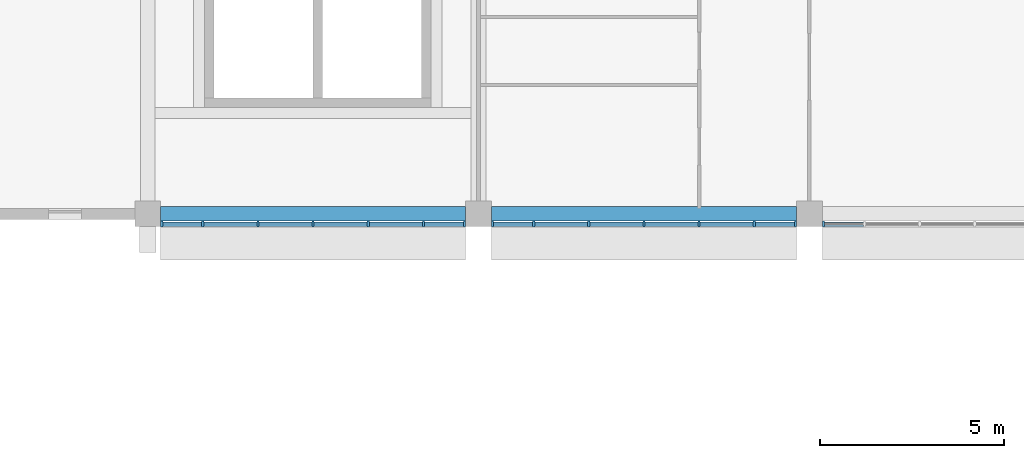
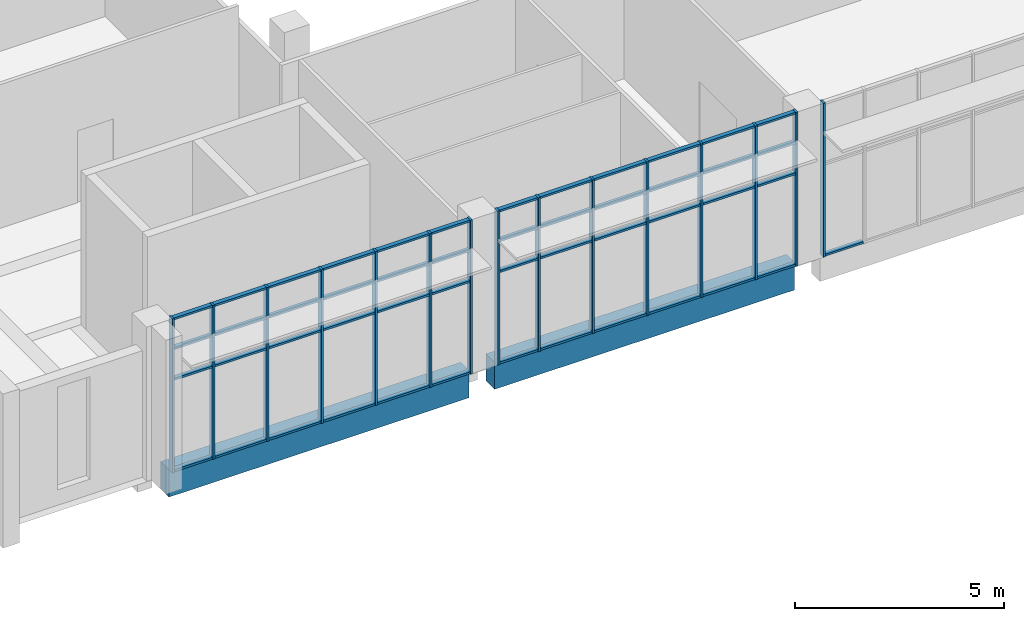
# One storey, part 2 of 40: 64 members, 2 beams, 3 elements without a shape of their own.
"""IFC4 building model written with IfcOpenShell, lengths in metres."""

from ifc_helpers import new_model, si_unit, direction, frame, origin, origin_2d, place, context, subcontext, project, spatial, rectangle, extrude, material, layer, layer_set, material_profile, profile_set, type_object, element, aggregate, save


model = new_model("IFC4")

# Units and contexts
model_context = context("Model", 3, precision=1e-05, world=origin(), true_north=direction((0.0, 1.0)))
body_context = subcontext(model_context, "Body", "Model", "MODEL_VIEW")
ifc_project = project(units=[si_unit("LENGTHUNIT", "METRE"), si_unit("AREAUNIT", "SQUARE_METRE"), si_unit("VOLUMEUNIT", "CUBIC_METRE"), si_unit("PLANEANGLEUNIT", "RADIAN"), si_unit("MASSUNIT", "GRAM", prefix="KILO")], contexts=[model_context])

# Site, building, storey
site_placement = place(None, origin())
site = spatial("IfcSite", under=ifc_project, at=site_placement, CompositionType="ELEMENT")
building_placement = place(site_placement, origin())
building = spatial("IfcBuilding", under=site, at=building_placement, Name="Guidao Yard Department Store", CompositionType="ELEMENT")
storey_placement = place(building_placement, frame((0.0, 0.0, 24.0)))
storey = spatial("IfcBuildingStorey", under=building, at=storey_placement, Name="L05", CompositionType="ELEMENT", Elevation=24.0)

# Curtain wall, members
ifc_material_1 = material(Name="Aluminium and glass", Category="aluminium")
ifc_layer = layer(ifc_material_1, 0.159912109375)
ifc_layer_set = layer_set([ifc_layer], Name="Hall front curtain wall CW2 1500 module")
curtain_wall_type = type_object("IfcCurtainWallType", Name="Hall front curtain wall CW2 1500 module", PredefinedType="NOTDEFINED", material=ifc_layer_set)
curtain_wall_1_placement = place(storey_placement, origin())
curtain_wall_1 = element("IfcCurtainWall", 1, at=curtain_wall_1_placement, inside=storey, type_object=curtain_wall_type, Name="Hall front curtain wall", PredefinedType="NOTDEFINED")
ifc_material_2 = material(Name="Aluminium 6063-T5", Category="aluminium")
ifc_material_profile_1 = material_profile(ifc_material_2, rectangle(XDim=0.06005859375, YDim=0.159912109375, at=origin_2d()), Name="Mullion M1 60 x 160 aluminium pressure plate")
ifc_profile_set_1 = profile_set([ifc_material_profile_1], Name="Aluminium 6063-T5")
member_type_1 = type_object("IfcMemberType", Name="Mullion M1 60 x 160 aluminium pressure plate", PredefinedType="MULLION", material=ifc_profile_set_1)
member_1_placement = place(storey_placement, frame((9.3798828125, 44.719970703125, 0.0), z_axis=(0.0, 0.0, 1.0), x_axis=(-1.0, 0.0, 0.0)))
member_1 = element("IfcMember", 2, at=member_1_placement, type_object=member_type_1, Name="CW-HF-L05-01 mullion 1", PredefinedType="MULLION", context=body_context, shape_type="SweptSolid", body=[
    extrude(rectangle(XDim=0.06005859375, YDim=0.159912109375, at=origin_2d()), origin(), (0.0, 0.0, 1.0), 4.5),
])
member_2_placement = place(storey_placement, frame((10.5, 44.719970703125, 0.0), z_axis=(0.0, 0.0, 1.0), x_axis=(-1.0, 0.0, 0.0)))
member_2 = element("IfcMember", 3, at=member_2_placement, type_object=member_type_1, Name="CW-HF-L05-01 mullion 2", PredefinedType="MULLION", context=body_context, shape_type="SweptSolid", body=[
    extrude(rectangle(XDim=0.06005859375, YDim=0.159912109375, at=origin_2d()), origin(), (0.0, 0.0, 1.0), 4.5),
])
member_3_placement = place(storey_placement, frame((12.0, 44.719970703125, 0.0), z_axis=(0.0, 0.0, 1.0), x_axis=(-1.0, 0.0, 0.0)))
member_3 = element("IfcMember", 4, at=member_3_placement, type_object=member_type_1, Name="CW-HF-L05-01 mullion 3", PredefinedType="MULLION", context=body_context, shape_type="SweptSolid", body=[
    extrude(rectangle(XDim=0.06005859375, YDim=0.159912109375, at=origin_2d()), origin(), (0.0, 0.0, 1.0), 4.5),
])
member_4_placement = place(storey_placement, frame((13.5, 44.719970703125, 0.0), z_axis=(0.0, 0.0, 1.0), x_axis=(-1.0, 0.0, 0.0)))
member_4 = element("IfcMember", 5, at=member_4_placement, type_object=member_type_1, Name="CW-HF-L05-01 mullion 4", PredefinedType="MULLION", context=body_context, shape_type="SweptSolid", body=[
    extrude(rectangle(XDim=0.06005859375, YDim=0.159912109375, at=origin_2d()), origin(), (0.0, 0.0, 1.0), 4.5),
])
member_5_placement = place(storey_placement, frame((15.0, 44.719970703125, 0.0), z_axis=(0.0, 0.0, 1.0), x_axis=(-1.0, 0.0, 0.0)))
member_5 = element("IfcMember", 6, at=member_5_placement, type_object=member_type_1, Name="CW-HF-L05-01 mullion 5", PredefinedType="MULLION", context=body_context, shape_type="SweptSolid", body=[
    extrude(rectangle(XDim=0.06005859375, YDim=0.159912109375, at=origin_2d()), origin(), (0.0, 0.0, 1.0), 4.5),
])
member_6_placement = place(storey_placement, frame((16.5, 44.719970703125, 0.0), z_axis=(0.0, 0.0, 1.0), x_axis=(-1.0, 0.0, 0.0)))
member_6 = element("IfcMember", 7, at=member_6_placement, type_object=member_type_1, Name="CW-HF-L05-01 mullion 6", PredefinedType="MULLION", context=body_context, shape_type="SweptSolid", body=[
    extrude(rectangle(XDim=0.06005859375, YDim=0.159912109375, at=origin_2d()), origin(), (0.0, 0.0, 1.0), 4.5),
])
member_7_placement = place(storey_placement, frame((17.6201171875, 44.719970703125, 0.0), z_axis=(0.0, 0.0, 1.0), x_axis=(-1.0, 0.0, 0.0)))
member_7 = element("IfcMember", 8, at=member_7_placement, type_object=member_type_1, Name="CW-HF-L05-01 mullion 7", PredefinedType="MULLION", context=body_context, shape_type="SweptSolid", body=[
    extrude(rectangle(XDim=0.06005859375, YDim=0.159912109375, at=origin_2d()), origin(), (0.0, 0.0, 1.0), 4.5),
])

curtain_wall_2_placement = place(storey_placement, origin())
curtain_wall_2 = element("IfcCurtainWall", 9, at=curtain_wall_2_placement, inside=storey, type_object=curtain_wall_type, Name="Hall front curtain wall", PredefinedType="NOTDEFINED")
member_8_placement = place(storey_placement, frame((18.3798828125, 44.719970703125, 0.0), z_axis=(0.0, 0.0, 1.0), x_axis=(-1.0, 0.0, 0.0)))
member_8 = element("IfcMember", 10, at=member_8_placement, type_object=member_type_1, Name="CW-HF-L05-02 mullion 1", PredefinedType="MULLION", context=body_context, shape_type="SweptSolid", body=[
    extrude(rectangle(XDim=0.06005859375, YDim=0.159912109375, at=origin_2d()), origin(), (0.0, 0.0, 1.0), 4.5),
])
member_9_placement = place(storey_placement, frame((19.5, 44.719970703125, 0.0), z_axis=(0.0, 0.0, 1.0), x_axis=(-1.0, 0.0, 0.0)))
member_9 = element("IfcMember", 11, at=member_9_placement, type_object=member_type_1, Name="CW-HF-L05-02 mullion 2", PredefinedType="MULLION", context=body_context, shape_type="SweptSolid", body=[
    extrude(rectangle(XDim=0.06005859375, YDim=0.159912109375, at=origin_2d()), origin(), (0.0, 0.0, 1.0), 4.5),
])
member_10_placement = place(storey_placement, frame((21.0, 44.719970703125, 0.0), z_axis=(0.0, 0.0, 1.0), x_axis=(-1.0, 0.0, 0.0)))
member_10 = element("IfcMember", 12, at=member_10_placement, type_object=member_type_1, Name="CW-HF-L05-02 mullion 3", PredefinedType="MULLION", context=body_context, shape_type="SweptSolid", body=[
    extrude(rectangle(XDim=0.06005859375, YDim=0.159912109375, at=origin_2d()), origin(), (0.0, 0.0, 1.0), 4.5),
])
member_11_placement = place(storey_placement, frame((22.5, 44.719970703125, 0.0), z_axis=(0.0, 0.0, 1.0), x_axis=(-1.0, 0.0, 0.0)))
member_11 = element("IfcMember", 13, at=member_11_placement, type_object=member_type_1, Name="CW-HF-L05-02 mullion 4", PredefinedType="MULLION", context=body_context, shape_type="SweptSolid", body=[
    extrude(rectangle(XDim=0.06005859375, YDim=0.159912109375, at=origin_2d()), origin(), (0.0, 0.0, 1.0), 4.5),
])
member_12_placement = place(storey_placement, frame((24.0, 44.719970703125, 0.0), z_axis=(0.0, 0.0, 1.0), x_axis=(-1.0, 0.0, 0.0)))
member_12 = element("IfcMember", 14, at=member_12_placement, type_object=member_type_1, Name="CW-HF-L05-02 mullion 5", PredefinedType="MULLION", context=body_context, shape_type="SweptSolid", body=[
    extrude(rectangle(XDim=0.06005859375, YDim=0.159912109375, at=origin_2d()), origin(), (0.0, 0.0, 1.0), 4.5),
])
member_13_placement = place(storey_placement, frame((25.5, 44.719970703125, 0.0), z_axis=(0.0, 0.0, 1.0), x_axis=(-1.0, 0.0, 0.0)))
member_13 = element("IfcMember", 15, at=member_13_placement, type_object=member_type_1, Name="CW-HF-L05-02 mullion 6", PredefinedType="MULLION", context=body_context, shape_type="SweptSolid", body=[
    extrude(rectangle(XDim=0.06005859375, YDim=0.159912109375, at=origin_2d()), origin(), (0.0, 0.0, 1.0), 4.5),
])
member_14_placement = place(storey_placement, frame((26.6201171875, 44.719970703125, 0.0), z_axis=(0.0, 0.0, 1.0), x_axis=(-1.0, 0.0, 0.0)))
member_14 = element("IfcMember", 16, at=member_14_placement, type_object=member_type_1, Name="CW-HF-L05-02 mullion 7", PredefinedType="MULLION", context=body_context, shape_type="SweptSolid", body=[
    extrude(rectangle(XDim=0.06005859375, YDim=0.159912109375, at=origin_2d()), origin(), (0.0, 0.0, 1.0), 4.5),
])

# Curtain wall, member
curtain_wall_3_placement = place(storey_placement, origin())
curtain_wall_3 = element("IfcCurtainWall", 17, at=curtain_wall_3_placement, inside=storey, type_object=curtain_wall_type, Name="Hall front curtain wall", PredefinedType="NOTDEFINED")
member_15_placement = place(storey_placement, frame((27.3798828125, 44.719970703125, 0.0), z_axis=(0.0, 0.0, 1.0), x_axis=(-1.0, 0.0, 0.0)))
member_15 = element("IfcMember", 18, at=member_15_placement, type_object=member_type_1, Name="CW-HF-L05-03 mullion 1", PredefinedType="MULLION", context=body_context, shape_type="SweptSolid", body=[
    extrude(rectangle(XDim=0.06005859375, YDim=0.159912109375, at=origin_2d()), origin(), (0.0, 0.0, 1.0), 4.5),
])

# Beams
ifc_material_3 = material(Name="Concrete C40", Category="concrete")
ifc_material_profile_2 = material_profile(ifc_material_3, rectangle(XDim=0.39990234375, YDim=0.800048828125, at=origin_2d()), Name="Spandrel beam 400 x 800 C40")
ifc_profile_set_2 = profile_set([ifc_material_profile_2], Name="Concrete C40")
beam_type = type_object("IfcBeamType", Name="Spandrel beam 400 x 800 C40", PredefinedType="SPANDREL", material=ifc_profile_set_2)
for number, where, z_axis, x_axis, name in (
    (19, (9.35009765625, 45.0, -0.39990234375), (1.0, 0.0, 0.0), (0.0, 1.0, 0.0), "Beam EB01"),
    (20, (18.35009765625, 45.0, -0.39990234375), (1.0, 0.0, 0.0), (0.0, 1.0, 0.0), "Beam EB02"),
):
    element("IfcBeam", number, at=place(storey_placement, frame(where, z_axis=z_axis, x_axis=x_axis)), inside=storey, type_object=beam_type, Name=name, PredefinedType="SPANDREL", context=body_context, shape_type="SweptSolid", body=[
        extrude(rectangle(XDim=0.39990234375, YDim=0.800048828125, at=origin_2d()), origin(), (0.0, 0.0, 1.0), 8.2998046875),
    ])

# Member
ifc_material_4 = material(Name="Aluminium 6063-T5", Category="aluminium")
ifc_material_profile_3 = material_profile(ifc_material_4, rectangle(XDim=0.1201171875, YDim=0.06005859375, at=origin_2d()), Name="Transom T1 60 x 120 aluminium pressure plate")
ifc_profile_set_3 = profile_set([ifc_material_profile_3], Name="Aluminium 6063-T5")
member_type_2 = type_object("IfcMemberType", Name="Transom T1 60 x 120 aluminium pressure plate", PredefinedType="USERDEFINED", material=ifc_profile_set_3)
member_16_placement = place(storey_placement, frame((10.469970703125, 44.719970703125, 0.030029296875), z_axis=(-1.0, 0.0, 0.0), x_axis=(0.0, -1.0, 0.0)))
member_16 = element("IfcMember", 21, at=member_16_placement, type_object=member_type_2, Name="CW-HF-L05-01 transom 1.1", ObjectType="TRANSOM", PredefinedType="USERDEFINED", context=body_context, shape_type="SweptSolid", body=[
    extrude(rectangle(XDim=0.1201171875, YDim=0.06005859375, at=origin_2d()), origin(), (0.0, 0.0, 1.0), 1.06005859375),
])

member_17_placement = place(storey_placement, frame((10.469970703125, 44.719970703125, 2.699951171875), z_axis=(-1.0, 0.0, 0.0), x_axis=(0.0, -1.0, 0.0)))
member_17 = element("IfcMember", 22, at=member_17_placement, type_object=member_type_2, Name="CW-HF-L05-01 transom 1.2", ObjectType="TRANSOM", PredefinedType="USERDEFINED", context=body_context, shape_type="SweptSolid", body=[
    extrude(rectangle(XDim=0.1201171875, YDim=0.06005859375, at=origin_2d()), origin(), (0.0, 0.0, 1.0), 1.06005859375),
])

member_18_placement = place(storey_placement, frame((10.469970703125, 44.719970703125, 3.60009765625), z_axis=(-1.0, 0.0, 0.0), x_axis=(0.0, -1.0, 0.0)))
member_18 = element("IfcMember", 23, at=member_18_placement, type_object=member_type_2, Name="CW-HF-L05-01 transom 1.3", ObjectType="TRANSOM", PredefinedType="USERDEFINED", context=body_context, shape_type="SweptSolid", body=[
    extrude(rectangle(XDim=0.1201171875, YDim=0.06005859375, at=origin_2d()), origin(), (0.0, 0.0, 1.0), 1.06005859375),
])

member_19_placement = place(storey_placement, frame((10.469970703125, 44.719970703125, 4.469970703125), z_axis=(-1.0, 0.0, 0.0), x_axis=(0.0, -1.0, 0.0)))
member_19 = element("IfcMember", 24, at=member_19_placement, type_object=member_type_2, Name="CW-HF-L05-01 transom 1.4", ObjectType="TRANSOM", PredefinedType="USERDEFINED", context=body_context, shape_type="SweptSolid", body=[
    extrude(rectangle(XDim=0.1201171875, YDim=0.06005859375, at=origin_2d()), origin(), (0.0, 0.0, 1.0), 1.06005859375),
])

member_20_placement = place(storey_placement, frame((11.969970703125, 44.719970703125, 0.030029296875), z_axis=(-1.0, 0.0, 0.0), x_axis=(0.0, -1.0, 0.0)))
member_20 = element("IfcMember", 25, at=member_20_placement, type_object=member_type_2, Name="CW-HF-L05-01 transom 2.1", ObjectType="TRANSOM", PredefinedType="USERDEFINED", context=body_context, shape_type="SweptSolid", body=[
    extrude(rectangle(XDim=0.1201171875, YDim=0.06005859375, at=origin_2d()), origin(), (0.0, 0.0, 1.0), 1.43994140625),
])

member_21_placement = place(storey_placement, frame((11.969970703125, 44.719970703125, 2.699951171875), z_axis=(-1.0, 0.0, 0.0), x_axis=(0.0, -1.0, 0.0)))
member_21 = element("IfcMember", 26, at=member_21_placement, type_object=member_type_2, Name="CW-HF-L05-01 transom 2.2", ObjectType="TRANSOM", PredefinedType="USERDEFINED", context=body_context, shape_type="SweptSolid", body=[
    extrude(rectangle(XDim=0.1201171875, YDim=0.06005859375, at=origin_2d()), origin(), (0.0, 0.0, 1.0), 1.43994140625),
])

member_22_placement = place(storey_placement, frame((11.969970703125, 44.719970703125, 3.60009765625), z_axis=(-1.0, 0.0, 0.0), x_axis=(0.0, -1.0, 0.0)))
member_22 = element("IfcMember", 27, at=member_22_placement, type_object=member_type_2, Name="CW-HF-L05-01 transom 2.3", ObjectType="TRANSOM", PredefinedType="USERDEFINED", context=body_context, shape_type="SweptSolid", body=[
    extrude(rectangle(XDim=0.1201171875, YDim=0.06005859375, at=origin_2d()), origin(), (0.0, 0.0, 1.0), 1.43994140625),
])

member_23_placement = place(storey_placement, frame((11.969970703125, 44.719970703125, 4.469970703125), z_axis=(-1.0, 0.0, 0.0), x_axis=(0.0, -1.0, 0.0)))
member_23 = element("IfcMember", 28, at=member_23_placement, type_object=member_type_2, Name="CW-HF-L05-01 transom 2.4", ObjectType="TRANSOM", PredefinedType="USERDEFINED", context=body_context, shape_type="SweptSolid", body=[
    extrude(rectangle(XDim=0.1201171875, YDim=0.06005859375, at=origin_2d()), origin(), (0.0, 0.0, 1.0), 1.43994140625),
])

member_24_placement = place(storey_placement, frame((13.469970703125, 44.719970703125, 0.030029296875), z_axis=(-1.0, 0.0, 0.0), x_axis=(0.0, -1.0, 0.0)))
member_24 = element("IfcMember", 29, at=member_24_placement, type_object=member_type_2, Name="CW-HF-L05-01 transom 3.1", ObjectType="TRANSOM", PredefinedType="USERDEFINED", context=body_context, shape_type="SweptSolid", body=[
    extrude(rectangle(XDim=0.1201171875, YDim=0.06005859375, at=origin_2d()), origin(), (0.0, 0.0, 1.0), 1.43994140625),
])

member_25_placement = place(storey_placement, frame((13.469970703125, 44.719970703125, 2.699951171875), z_axis=(-1.0, 0.0, 0.0), x_axis=(0.0, -1.0, 0.0)))
member_25 = element("IfcMember", 30, at=member_25_placement, type_object=member_type_2, Name="CW-HF-L05-01 transom 3.2", ObjectType="TRANSOM", PredefinedType="USERDEFINED", context=body_context, shape_type="SweptSolid", body=[
    extrude(rectangle(XDim=0.1201171875, YDim=0.06005859375, at=origin_2d()), origin(), (0.0, 0.0, 1.0), 1.43994140625),
])

member_26_placement = place(storey_placement, frame((13.469970703125, 44.719970703125, 3.60009765625), z_axis=(-1.0, 0.0, 0.0), x_axis=(0.0, -1.0, 0.0)))
member_26 = element("IfcMember", 31, at=member_26_placement, type_object=member_type_2, Name="CW-HF-L05-01 transom 3.3", ObjectType="TRANSOM", PredefinedType="USERDEFINED", context=body_context, shape_type="SweptSolid", body=[
    extrude(rectangle(XDim=0.1201171875, YDim=0.06005859375, at=origin_2d()), origin(), (0.0, 0.0, 1.0), 1.43994140625),
])

member_27_placement = place(storey_placement, frame((13.469970703125, 44.719970703125, 4.469970703125), z_axis=(-1.0, 0.0, 0.0), x_axis=(0.0, -1.0, 0.0)))
member_27 = element("IfcMember", 32, at=member_27_placement, type_object=member_type_2, Name="CW-HF-L05-01 transom 3.4", ObjectType="TRANSOM", PredefinedType="USERDEFINED", context=body_context, shape_type="SweptSolid", body=[
    extrude(rectangle(XDim=0.1201171875, YDim=0.06005859375, at=origin_2d()), origin(), (0.0, 0.0, 1.0), 1.43994140625),
])

member_28_placement = place(storey_placement, frame((14.969970703125, 44.719970703125, 0.030029296875), z_axis=(-1.0, 0.0, 0.0), x_axis=(0.0, -1.0, 0.0)))
member_28 = element("IfcMember", 33, at=member_28_placement, type_object=member_type_2, Name="CW-HF-L05-01 transom 4.1", ObjectType="TRANSOM", PredefinedType="USERDEFINED", context=body_context, shape_type="SweptSolid", body=[
    extrude(rectangle(XDim=0.1201171875, YDim=0.06005859375, at=origin_2d()), origin(), (0.0, 0.0, 1.0), 1.43994140625),
])

member_29_placement = place(storey_placement, frame((14.969970703125, 44.719970703125, 2.699951171875), z_axis=(-1.0, 0.0, 0.0), x_axis=(0.0, -1.0, 0.0)))
member_29 = element("IfcMember", 34, at=member_29_placement, type_object=member_type_2, Name="CW-HF-L05-01 transom 4.2", ObjectType="TRANSOM", PredefinedType="USERDEFINED", context=body_context, shape_type="SweptSolid", body=[
    extrude(rectangle(XDim=0.1201171875, YDim=0.06005859375, at=origin_2d()), origin(), (0.0, 0.0, 1.0), 1.43994140625),
])

member_30_placement = place(storey_placement, frame((14.969970703125, 44.719970703125, 3.60009765625), z_axis=(-1.0, 0.0, 0.0), x_axis=(0.0, -1.0, 0.0)))
member_30 = element("IfcMember", 35, at=member_30_placement, type_object=member_type_2, Name="CW-HF-L05-01 transom 4.3", ObjectType="TRANSOM", PredefinedType="USERDEFINED", context=body_context, shape_type="SweptSolid", body=[
    extrude(rectangle(XDim=0.1201171875, YDim=0.06005859375, at=origin_2d()), origin(), (0.0, 0.0, 1.0), 1.43994140625),
])

member_31_placement = place(storey_placement, frame((14.969970703125, 44.719970703125, 4.469970703125), z_axis=(-1.0, 0.0, 0.0), x_axis=(0.0, -1.0, 0.0)))
member_31 = element("IfcMember", 36, at=member_31_placement, type_object=member_type_2, Name="CW-HF-L05-01 transom 4.4", ObjectType="TRANSOM", PredefinedType="USERDEFINED", context=body_context, shape_type="SweptSolid", body=[
    extrude(rectangle(XDim=0.1201171875, YDim=0.06005859375, at=origin_2d()), origin(), (0.0, 0.0, 1.0), 1.43994140625),
])

member_32_placement = place(storey_placement, frame((16.469970703125, 44.719970703125, 0.030029296875), z_axis=(-1.0, 0.0, 0.0), x_axis=(0.0, -1.0, 0.0)))
member_32 = element("IfcMember", 37, at=member_32_placement, type_object=member_type_2, Name="CW-HF-L05-01 transom 5.1", ObjectType="TRANSOM", PredefinedType="USERDEFINED", context=body_context, shape_type="SweptSolid", body=[
    extrude(rectangle(XDim=0.1201171875, YDim=0.06005859375, at=origin_2d()), origin(), (0.0, 0.0, 1.0), 1.43994140625),
])

member_33_placement = place(storey_placement, frame((16.469970703125, 44.719970703125, 2.699951171875), z_axis=(-1.0, 0.0, 0.0), x_axis=(0.0, -1.0, 0.0)))
member_33 = element("IfcMember", 38, at=member_33_placement, type_object=member_type_2, Name="CW-HF-L05-01 transom 5.2", ObjectType="TRANSOM", PredefinedType="USERDEFINED", context=body_context, shape_type="SweptSolid", body=[
    extrude(rectangle(XDim=0.1201171875, YDim=0.06005859375, at=origin_2d()), origin(), (0.0, 0.0, 1.0), 1.43994140625),
])

member_34_placement = place(storey_placement, frame((16.469970703125, 44.719970703125, 3.60009765625), z_axis=(-1.0, 0.0, 0.0), x_axis=(0.0, -1.0, 0.0)))
member_34 = element("IfcMember", 39, at=member_34_placement, type_object=member_type_2, Name="CW-HF-L05-01 transom 5.3", ObjectType="TRANSOM", PredefinedType="USERDEFINED", context=body_context, shape_type="SweptSolid", body=[
    extrude(rectangle(XDim=0.1201171875, YDim=0.06005859375, at=origin_2d()), origin(), (0.0, 0.0, 1.0), 1.43994140625),
])

member_35_placement = place(storey_placement, frame((16.469970703125, 44.719970703125, 4.469970703125), z_axis=(-1.0, 0.0, 0.0), x_axis=(0.0, -1.0, 0.0)))
member_35 = element("IfcMember", 40, at=member_35_placement, type_object=member_type_2, Name="CW-HF-L05-01 transom 5.4", ObjectType="TRANSOM", PredefinedType="USERDEFINED", context=body_context, shape_type="SweptSolid", body=[
    extrude(rectangle(XDim=0.1201171875, YDim=0.06005859375, at=origin_2d()), origin(), (0.0, 0.0, 1.0), 1.43994140625),
])

member_36_placement = place(storey_placement, frame((17.590087890625, 44.719970703125, 0.030029296875), z_axis=(-1.0, 0.0, 0.0), x_axis=(0.0, -1.0, 0.0)))
member_36 = element("IfcMember", 41, at=member_36_placement, type_object=member_type_2, Name="CW-HF-L05-01 transom 6.1", ObjectType="TRANSOM", PredefinedType="USERDEFINED", context=body_context, shape_type="SweptSolid", body=[
    extrude(rectangle(XDim=0.1201171875, YDim=0.06005859375, at=origin_2d()), origin(), (0.0, 0.0, 1.0), 1.06005859375),
])

member_37_placement = place(storey_placement, frame((17.590087890625, 44.719970703125, 2.699951171875), z_axis=(-1.0, 0.0, 0.0), x_axis=(0.0, -1.0, 0.0)))
member_37 = element("IfcMember", 42, at=member_37_placement, type_object=member_type_2, Name="CW-HF-L05-01 transom 6.2", ObjectType="TRANSOM", PredefinedType="USERDEFINED", context=body_context, shape_type="SweptSolid", body=[
    extrude(rectangle(XDim=0.1201171875, YDim=0.06005859375, at=origin_2d()), origin(), (0.0, 0.0, 1.0), 1.06005859375),
])

member_38_placement = place(storey_placement, frame((17.590087890625, 44.719970703125, 3.60009765625), z_axis=(-1.0, 0.0, 0.0), x_axis=(0.0, -1.0, 0.0)))
member_38 = element("IfcMember", 43, at=member_38_placement, type_object=member_type_2, Name="CW-HF-L05-01 transom 6.3", ObjectType="TRANSOM", PredefinedType="USERDEFINED", context=body_context, shape_type="SweptSolid", body=[
    extrude(rectangle(XDim=0.1201171875, YDim=0.06005859375, at=origin_2d()), origin(), (0.0, 0.0, 1.0), 1.06005859375),
])

member_39_placement = place(storey_placement, frame((17.590087890625, 44.719970703125, 4.469970703125), z_axis=(-1.0, 0.0, 0.0), x_axis=(0.0, -1.0, 0.0)))
member_39 = element("IfcMember", 44, at=member_39_placement, type_object=member_type_2, Name="CW-HF-L05-01 transom 6.4", ObjectType="TRANSOM", PredefinedType="USERDEFINED", context=body_context, shape_type="SweptSolid", body=[
    extrude(rectangle(XDim=0.1201171875, YDim=0.06005859375, at=origin_2d()), origin(), (0.0, 0.0, 1.0), 1.06005859375),
])

aggregate(curtain_wall_1, [member_1, member_2, member_3, member_4, member_5, member_6, member_7, member_16, member_17, member_18, member_19, member_20, member_21, member_22, member_23, member_24, member_25, member_26, member_27, member_28, member_29, member_30, member_31, member_32, member_33, member_34, member_35, member_36, member_37, member_38, member_39])

member_40_placement = place(storey_placement, frame((19.469970703125, 44.719970703125, 0.030029296875), z_axis=(-1.0, 0.0, 0.0), x_axis=(0.0, -1.0, 0.0)))
member_40 = element("IfcMember", 45, at=member_40_placement, type_object=member_type_2, Name="CW-HF-L05-02 transom 1.1", ObjectType="TRANSOM", PredefinedType="USERDEFINED", context=body_context, shape_type="SweptSolid", body=[
    extrude(rectangle(XDim=0.1201171875, YDim=0.06005859375, at=origin_2d()), origin(), (0.0, 0.0, 1.0), 1.06005859375),
])

member_41_placement = place(storey_placement, frame((19.469970703125, 44.719970703125, 2.699951171875), z_axis=(-1.0, 0.0, 0.0), x_axis=(0.0, -1.0, 0.0)))
member_41 = element("IfcMember", 46, at=member_41_placement, type_object=member_type_2, Name="CW-HF-L05-02 transom 1.2", ObjectType="TRANSOM", PredefinedType="USERDEFINED", context=body_context, shape_type="SweptSolid", body=[
    extrude(rectangle(XDim=0.1201171875, YDim=0.06005859375, at=origin_2d()), origin(), (0.0, 0.0, 1.0), 1.06005859375),
])

member_42_placement = place(storey_placement, frame((19.469970703125, 44.719970703125, 3.60009765625), z_axis=(-1.0, 0.0, 0.0), x_axis=(0.0, -1.0, 0.0)))
member_42 = element("IfcMember", 47, at=member_42_placement, type_object=member_type_2, Name="CW-HF-L05-02 transom 1.3", ObjectType="TRANSOM", PredefinedType="USERDEFINED", context=body_context, shape_type="SweptSolid", body=[
    extrude(rectangle(XDim=0.1201171875, YDim=0.06005859375, at=origin_2d()), origin(), (0.0, 0.0, 1.0), 1.06005859375),
])

member_43_placement = place(storey_placement, frame((19.469970703125, 44.719970703125, 4.469970703125), z_axis=(-1.0, 0.0, 0.0), x_axis=(0.0, -1.0, 0.0)))
member_43 = element("IfcMember", 48, at=member_43_placement, type_object=member_type_2, Name="CW-HF-L05-02 transom 1.4", ObjectType="TRANSOM", PredefinedType="USERDEFINED", context=body_context, shape_type="SweptSolid", body=[
    extrude(rectangle(XDim=0.1201171875, YDim=0.06005859375, at=origin_2d()), origin(), (0.0, 0.0, 1.0), 1.06005859375),
])

member_44_placement = place(storey_placement, frame((20.969970703125, 44.719970703125, 0.030029296875), z_axis=(-1.0, 0.0, 0.0), x_axis=(0.0, -1.0, 0.0)))
member_44 = element("IfcMember", 49, at=member_44_placement, type_object=member_type_2, Name="CW-HF-L05-02 transom 2.1", ObjectType="TRANSOM", PredefinedType="USERDEFINED", context=body_context, shape_type="SweptSolid", body=[
    extrude(rectangle(XDim=0.1201171875, YDim=0.06005859375, at=origin_2d()), origin(), (0.0, 0.0, 1.0), 1.43994140625),
])

member_45_placement = place(storey_placement, frame((20.969970703125, 44.719970703125, 2.699951171875), z_axis=(-1.0, 0.0, 0.0), x_axis=(0.0, -1.0, 0.0)))
member_45 = element("IfcMember", 50, at=member_45_placement, type_object=member_type_2, Name="CW-HF-L05-02 transom 2.2", ObjectType="TRANSOM", PredefinedType="USERDEFINED", context=body_context, shape_type="SweptSolid", body=[
    extrude(rectangle(XDim=0.1201171875, YDim=0.06005859375, at=origin_2d()), origin(), (0.0, 0.0, 1.0), 1.43994140625),
])

member_46_placement = place(storey_placement, frame((20.969970703125, 44.719970703125, 3.60009765625), z_axis=(-1.0, 0.0, 0.0), x_axis=(0.0, -1.0, 0.0)))
member_46 = element("IfcMember", 51, at=member_46_placement, type_object=member_type_2, Name="CW-HF-L05-02 transom 2.3", ObjectType="TRANSOM", PredefinedType="USERDEFINED", context=body_context, shape_type="SweptSolid", body=[
    extrude(rectangle(XDim=0.1201171875, YDim=0.06005859375, at=origin_2d()), origin(), (0.0, 0.0, 1.0), 1.43994140625),
])

member_47_placement = place(storey_placement, frame((20.969970703125, 44.719970703125, 4.469970703125), z_axis=(-1.0, 0.0, 0.0), x_axis=(0.0, -1.0, 0.0)))
member_47 = element("IfcMember", 52, at=member_47_placement, type_object=member_type_2, Name="CW-HF-L05-02 transom 2.4", ObjectType="TRANSOM", PredefinedType="USERDEFINED", context=body_context, shape_type="SweptSolid", body=[
    extrude(rectangle(XDim=0.1201171875, YDim=0.06005859375, at=origin_2d()), origin(), (0.0, 0.0, 1.0), 1.43994140625),
])

member_48_placement = place(storey_placement, frame((22.469970703125, 44.719970703125, 0.030029296875), z_axis=(-1.0, 0.0, 0.0), x_axis=(0.0, -1.0, 0.0)))
member_48 = element("IfcMember", 53, at=member_48_placement, type_object=member_type_2, Name="CW-HF-L05-02 transom 3.1", ObjectType="TRANSOM", PredefinedType="USERDEFINED", context=body_context, shape_type="SweptSolid", body=[
    extrude(rectangle(XDim=0.1201171875, YDim=0.06005859375, at=origin_2d()), origin(), (0.0, 0.0, 1.0), 1.43994140625),
])

member_49_placement = place(storey_placement, frame((22.469970703125, 44.719970703125, 2.699951171875), z_axis=(-1.0, 0.0, 0.0), x_axis=(0.0, -1.0, 0.0)))
member_49 = element("IfcMember", 54, at=member_49_placement, type_object=member_type_2, Name="CW-HF-L05-02 transom 3.2", ObjectType="TRANSOM", PredefinedType="USERDEFINED", context=body_context, shape_type="SweptSolid", body=[
    extrude(rectangle(XDim=0.1201171875, YDim=0.06005859375, at=origin_2d()), origin(), (0.0, 0.0, 1.0), 1.43994140625),
])

member_50_placement = place(storey_placement, frame((22.469970703125, 44.719970703125, 3.60009765625), z_axis=(-1.0, 0.0, 0.0), x_axis=(0.0, -1.0, 0.0)))
member_50 = element("IfcMember", 55, at=member_50_placement, type_object=member_type_2, Name="CW-HF-L05-02 transom 3.3", ObjectType="TRANSOM", PredefinedType="USERDEFINED", context=body_context, shape_type="SweptSolid", body=[
    extrude(rectangle(XDim=0.1201171875, YDim=0.06005859375, at=origin_2d()), origin(), (0.0, 0.0, 1.0), 1.43994140625),
])

member_51_placement = place(storey_placement, frame((22.469970703125, 44.719970703125, 4.469970703125), z_axis=(-1.0, 0.0, 0.0), x_axis=(0.0, -1.0, 0.0)))
member_51 = element("IfcMember", 56, at=member_51_placement, type_object=member_type_2, Name="CW-HF-L05-02 transom 3.4", ObjectType="TRANSOM", PredefinedType="USERDEFINED", context=body_context, shape_type="SweptSolid", body=[
    extrude(rectangle(XDim=0.1201171875, YDim=0.06005859375, at=origin_2d()), origin(), (0.0, 0.0, 1.0), 1.43994140625),
])

member_52_placement = place(storey_placement, frame((23.969970703125, 44.719970703125, 0.030029296875), z_axis=(-1.0, 0.0, 0.0), x_axis=(0.0, -1.0, 0.0)))
member_52 = element("IfcMember", 57, at=member_52_placement, type_object=member_type_2, Name="CW-HF-L05-02 transom 4.1", ObjectType="TRANSOM", PredefinedType="USERDEFINED", context=body_context, shape_type="SweptSolid", body=[
    extrude(rectangle(XDim=0.1201171875, YDim=0.06005859375, at=origin_2d()), origin(), (0.0, 0.0, 1.0), 1.43994140625),
])

member_53_placement = place(storey_placement, frame((23.969970703125, 44.719970703125, 2.699951171875), z_axis=(-1.0, 0.0, 0.0), x_axis=(0.0, -1.0, 0.0)))
member_53 = element("IfcMember", 58, at=member_53_placement, type_object=member_type_2, Name="CW-HF-L05-02 transom 4.2", ObjectType="TRANSOM", PredefinedType="USERDEFINED", context=body_context, shape_type="SweptSolid", body=[
    extrude(rectangle(XDim=0.1201171875, YDim=0.06005859375, at=origin_2d()), origin(), (0.0, 0.0, 1.0), 1.43994140625),
])

member_54_placement = place(storey_placement, frame((23.969970703125, 44.719970703125, 3.60009765625), z_axis=(-1.0, 0.0, 0.0), x_axis=(0.0, -1.0, 0.0)))
member_54 = element("IfcMember", 59, at=member_54_placement, type_object=member_type_2, Name="CW-HF-L05-02 transom 4.3", ObjectType="TRANSOM", PredefinedType="USERDEFINED", context=body_context, shape_type="SweptSolid", body=[
    extrude(rectangle(XDim=0.1201171875, YDim=0.06005859375, at=origin_2d()), origin(), (0.0, 0.0, 1.0), 1.43994140625),
])

member_55_placement = place(storey_placement, frame((23.969970703125, 44.719970703125, 4.469970703125), z_axis=(-1.0, 0.0, 0.0), x_axis=(0.0, -1.0, 0.0)))
member_55 = element("IfcMember", 60, at=member_55_placement, type_object=member_type_2, Name="CW-HF-L05-02 transom 4.4", ObjectType="TRANSOM", PredefinedType="USERDEFINED", context=body_context, shape_type="SweptSolid", body=[
    extrude(rectangle(XDim=0.1201171875, YDim=0.06005859375, at=origin_2d()), origin(), (0.0, 0.0, 1.0), 1.43994140625),
])

member_56_placement = place(storey_placement, frame((25.469970703125, 44.719970703125, 0.030029296875), z_axis=(-1.0, 0.0, 0.0), x_axis=(0.0, -1.0, 0.0)))
member_56 = element("IfcMember", 61, at=member_56_placement, type_object=member_type_2, Name="CW-HF-L05-02 transom 5.1", ObjectType="TRANSOM", PredefinedType="USERDEFINED", context=body_context, shape_type="SweptSolid", body=[
    extrude(rectangle(XDim=0.1201171875, YDim=0.06005859375, at=origin_2d()), origin(), (0.0, 0.0, 1.0), 1.43994140625),
])

member_57_placement = place(storey_placement, frame((25.469970703125, 44.719970703125, 2.699951171875), z_axis=(-1.0, 0.0, 0.0), x_axis=(0.0, -1.0, 0.0)))
member_57 = element("IfcMember", 62, at=member_57_placement, type_object=member_type_2, Name="CW-HF-L05-02 transom 5.2", ObjectType="TRANSOM", PredefinedType="USERDEFINED", context=body_context, shape_type="SweptSolid", body=[
    extrude(rectangle(XDim=0.1201171875, YDim=0.06005859375, at=origin_2d()), origin(), (0.0, 0.0, 1.0), 1.43994140625),
])

member_58_placement = place(storey_placement, frame((25.469970703125, 44.719970703125, 3.60009765625), z_axis=(-1.0, 0.0, 0.0), x_axis=(0.0, -1.0, 0.0)))
member_58 = element("IfcMember", 63, at=member_58_placement, type_object=member_type_2, Name="CW-HF-L05-02 transom 5.3", ObjectType="TRANSOM", PredefinedType="USERDEFINED", context=body_context, shape_type="SweptSolid", body=[
    extrude(rectangle(XDim=0.1201171875, YDim=0.06005859375, at=origin_2d()), origin(), (0.0, 0.0, 1.0), 1.43994140625),
])

member_59_placement = place(storey_placement, frame((25.469970703125, 44.719970703125, 4.469970703125), z_axis=(-1.0, 0.0, 0.0), x_axis=(0.0, -1.0, 0.0)))
member_59 = element("IfcMember", 64, at=member_59_placement, type_object=member_type_2, Name="CW-HF-L05-02 transom 5.4", ObjectType="TRANSOM", PredefinedType="USERDEFINED", context=body_context, shape_type="SweptSolid", body=[
    extrude(rectangle(XDim=0.1201171875, YDim=0.06005859375, at=origin_2d()), origin(), (0.0, 0.0, 1.0), 1.43994140625),
])

member_60_placement = place(storey_placement, frame((26.590087890625, 44.719970703125, 0.030029296875), z_axis=(-1.0, 0.0, 0.0), x_axis=(0.0, -1.0, 0.0)))
member_60 = element("IfcMember", 65, at=member_60_placement, type_object=member_type_2, Name="CW-HF-L05-02 transom 6.1", ObjectType="TRANSOM", PredefinedType="USERDEFINED", context=body_context, shape_type="SweptSolid", body=[
    extrude(rectangle(XDim=0.1201171875, YDim=0.06005859375, at=origin_2d()), origin(), (0.0, 0.0, 1.0), 1.06005859375),
])

member_61_placement = place(storey_placement, frame((26.590087890625, 44.719970703125, 2.699951171875), z_axis=(-1.0, 0.0, 0.0), x_axis=(0.0, -1.0, 0.0)))
member_61 = element("IfcMember", 66, at=member_61_placement, type_object=member_type_2, Name="CW-HF-L05-02 transom 6.2", ObjectType="TRANSOM", PredefinedType="USERDEFINED", context=body_context, shape_type="SweptSolid", body=[
    extrude(rectangle(XDim=0.1201171875, YDim=0.06005859375, at=origin_2d()), origin(), (0.0, 0.0, 1.0), 1.06005859375),
])

member_62_placement = place(storey_placement, frame((26.590087890625, 44.719970703125, 3.60009765625), z_axis=(-1.0, 0.0, 0.0), x_axis=(0.0, -1.0, 0.0)))
member_62 = element("IfcMember", 67, at=member_62_placement, type_object=member_type_2, Name="CW-HF-L05-02 transom 6.3", ObjectType="TRANSOM", PredefinedType="USERDEFINED", context=body_context, shape_type="SweptSolid", body=[
    extrude(rectangle(XDim=0.1201171875, YDim=0.06005859375, at=origin_2d()), origin(), (0.0, 0.0, 1.0), 1.06005859375),
])

member_63_placement = place(storey_placement, frame((26.590087890625, 44.719970703125, 4.469970703125), z_axis=(-1.0, 0.0, 0.0), x_axis=(0.0, -1.0, 0.0)))
member_63 = element("IfcMember", 68, at=member_63_placement, type_object=member_type_2, Name="CW-HF-L05-02 transom 6.4", ObjectType="TRANSOM", PredefinedType="USERDEFINED", context=body_context, shape_type="SweptSolid", body=[
    extrude(rectangle(XDim=0.1201171875, YDim=0.06005859375, at=origin_2d()), origin(), (0.0, 0.0, 1.0), 1.06005859375),
])

aggregate(curtain_wall_2, [member_8, member_9, member_10, member_11, member_12, member_13, member_14, member_40, member_41, member_42, member_43, member_44, member_45, member_46, member_47, member_48, member_49, member_50, member_51, member_52, member_53, member_54, member_55, member_56, member_57, member_58, member_59, member_60, member_61, member_62, member_63])

member_64_placement = place(storey_placement, frame((28.469970703125, 44.719970703125, 0.030029296875), z_axis=(-1.0, 0.0, 0.0), x_axis=(0.0, -1.0, 0.0)))
member_64 = element("IfcMember", 69, at=member_64_placement, type_object=member_type_2, Name="CW-HF-L05-03 transom 1.1", ObjectType="TRANSOM", PredefinedType="USERDEFINED", context=body_context, shape_type="SweptSolid", body=[
    extrude(rectangle(XDim=0.1201171875, YDim=0.06005859375, at=origin_2d()), origin(), (0.0, 0.0, 1.0), 1.06005859375),
])

aggregate(curtain_wall_3, [member_15, member_64])

save(model, "model.ifc")
